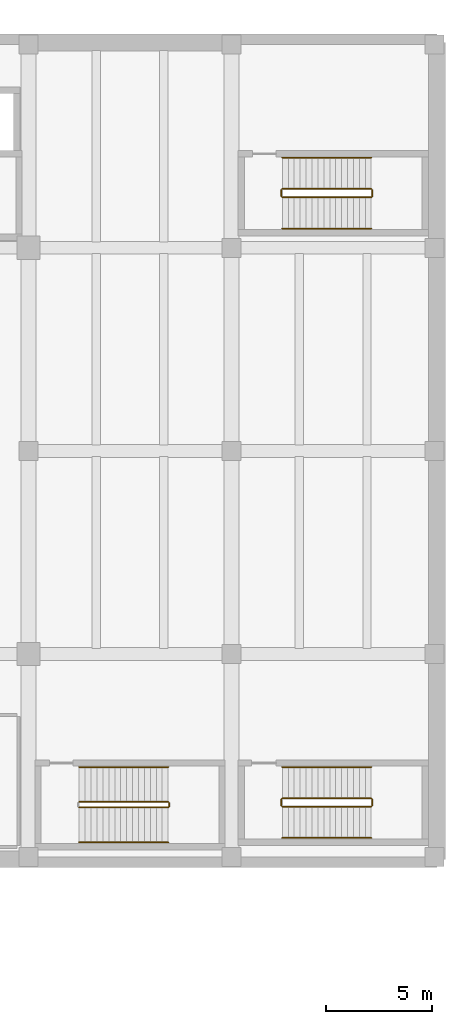
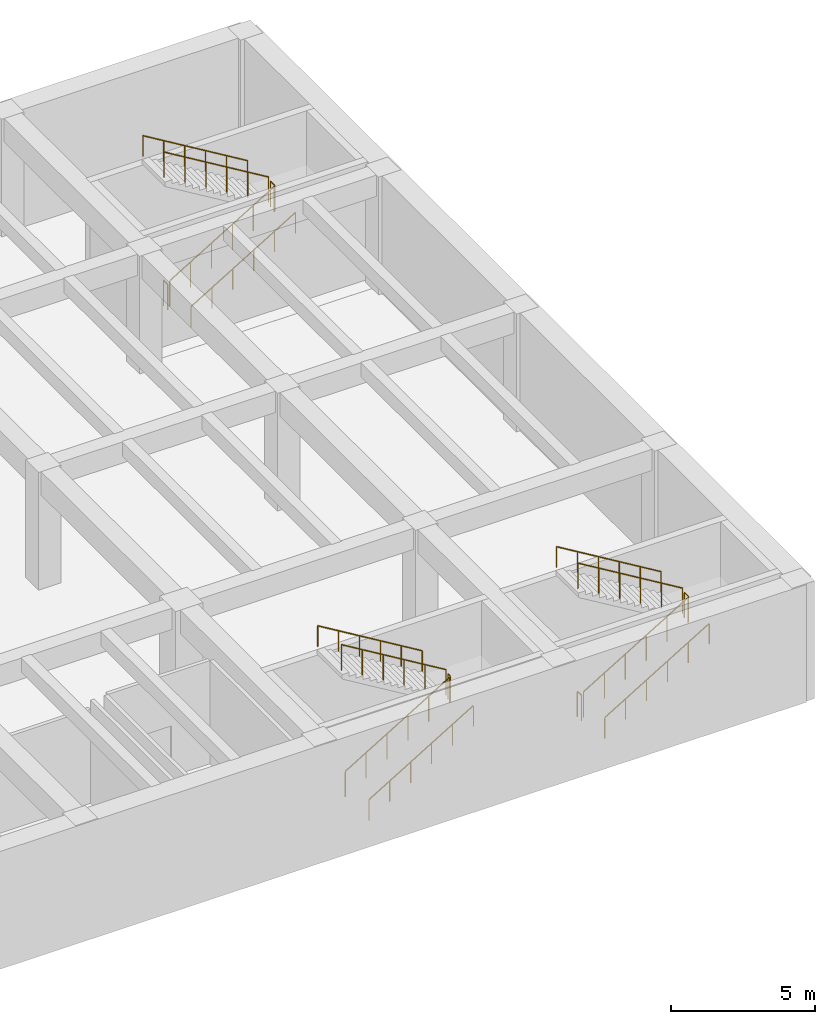
# One storey, part 19 of 19: 17 railings.
"""IFC4 building model written with IfcOpenShell, lengths in metres."""

import ifcopenshell
import ifcopenshell.guid

model = None  # the IFC model being written
_history = None  # IfcOwnerHistory: only IFC2X3 demands one
_inside = {}  # id of a spatial element -> (the spatial element, [elements in it])
_under = {}  # id of a project, library or spatial element -> (it, [spatial elements below it])
_declared = {}  # id of a project -> (the project, [libraries it declares])
_typed = {}  # id of a type object -> (the type object, [elements of that type])
_made_of = {}  # id of a material, layer set ... -> (it, [elements and type objects made of it])


def new_model(schema):
    """Start an empty IFC model of exactly this schema.

    Asked for "IFC4X3", IfcOpenShell would pick the latest addendum, in which some entities
    have other attributes; the version numbers below select the first issue.
    IFC2X3 requires an IfcOwnerHistory on every rooted entity: one is made here for all.
    """
    global model, _history
    if schema == "IFC4X3":
        model = ifcopenshell.file(schema_version=(4, 3, 0, 0))
    else:
        model = ifcopenshell.file(schema=schema)
    _inside.clear()
    _under.clear()
    _declared.clear()
    _typed.clear()
    _made_of.clear()
    _history = None
    if model.schema == "IFC2X3":
        org = make("IfcOrganization", Name="unknown")
        user = make(
            "IfcPersonAndOrganization",
            ThePerson=make("IfcPerson", FamilyName="unknown"),
            TheOrganization=org,
        )
        app = make(
            "IfcApplication",
            ApplicationDeveloper=org,
            Version="unknown",
            ApplicationFullName="unknown",
            ApplicationIdentifier="unknown",
        )
        _history = make(
            "IfcOwnerHistory",
            OwningUser=user,
            OwningApplication=app,
            ChangeAction="ADDED",
            CreationDate=0,
        )
    return model


def make(cls, **values):
    """One entity of the class cls with the attributes given. An attribute that is None is left unset."""
    return model.create_entity(
        cls, **{name: value for name, value in values.items() if value is not None}
    )


def rooted(cls, **values):
    """An entity with a GlobalId (a new one), such as an element, a storey or a relation."""
    return make(cls, GlobalId=ifcopenshell.guid.new(), OwnerHistory=_history, **values)


def si_unit(unit_type, name, prefix=None):
    """IfcSIUnit, for example si_unit("LENGTHUNIT", "METRE", prefix="MILLI")."""
    return make("IfcSIUnit", UnitType=unit_type, Prefix=prefix, Name=name)


def assignment(units):
    """IfcUnitAssignment: the units of a project."""
    return None if units is None else make("IfcUnitAssignment", Units=units)


def point(xyz):
    """IfcCartesianPoint."""
    return None if xyz is None else make("IfcCartesianPoint", Coordinates=xyz)


def direction(xyz):
    """IfcDirection."""
    return None if xyz is None else make("IfcDirection", DirectionRatios=xyz)


def frame(location, z_axis=None, x_axis=None):
    """IfcAxis2Placement3D, a coordinate frame: its origin and axes. An axis left out is left unset."""
    return make(
        "IfcAxis2Placement3D",
        Location=point(location),
        Axis=direction(z_axis),
        RefDirection=direction(x_axis),
    )


def frame_2d(location, x_axis=None):
    """IfcAxis2Placement2D, a coordinate frame in the plane: its origin and x axis."""
    return make(
        "IfcAxis2Placement2D", Location=point(location), RefDirection=direction(x_axis)
    )


def origin():
    """The frame at (0, 0, 0) with its axes left unset."""
    return frame((0.0, 0.0, 0.0))


def origin_2d():
    """The frame at (0, 0) in the plane with its x axis left unset."""
    return frame_2d((0.0, 0.0))


def place(relative_to, where):
    """IfcLocalPlacement: puts the frame where relative to a parent placement (None: the world)."""
    return make(
        "IfcLocalPlacement", PlacementRelTo=relative_to, RelativePlacement=where
    )


def context(
    kind, dimensions, precision=None, world=None, true_north=None, identifier=None
):
    """IfcGeometricRepresentationContext, for example the 3D "Model" context."""
    return make(
        "IfcGeometricRepresentationContext",
        ContextIdentifier=identifier,
        ContextType=kind,
        CoordinateSpaceDimension=dimensions,
        Precision=precision,
        WorldCoordinateSystem=world,
        TrueNorth=true_north,
    )


def subcontext(parent, identifier, kind, view, scale=None):
    """IfcGeometricRepresentationSubContext, for example "Body" below "Model"."""
    return make(
        "IfcGeometricRepresentationSubContext",
        ContextIdentifier=identifier,
        ContextType=kind,
        ParentContext=parent,
        TargetScale=scale,
        TargetView=view,
    )


def project(units=None, contexts=None):
    """IfcProject with its units and contexts."""
    return rooted(
        "IfcProject",
        Name="project",
        RepresentationContexts=contexts,
        UnitsInContext=assignment(units),
    )


def spatial(cls, under=None, at=None, **own):
    """A site, building, storey or space (cls), placed at a placement, below another one or the project."""
    s = rooted(cls, ObjectPlacement=at, **own)
    if under is not None:
        _under.setdefault(under.id(), (under, []))[1].append(s)
    return s


def profile(cls, at=None, kind="AREA", **sizes):
    """A parametric profile (cls). Its sizes go by their IFC names, for example OverallWidth=200.0."""
    return make(cls, ProfileType=kind, Position=at, **sizes)


def circle(**sizes):
    """IfcCircleProfileDef."""
    return profile("IfcCircleProfileDef", **sizes)


def extrude(swept, where, along, depth):
    """IfcExtrudedAreaSolid: the profile swept, set in the frame where, extruded along a direction by depth."""
    return make(
        "IfcExtrudedAreaSolid",
        SweptArea=swept,
        Position=where,
        ExtrudedDirection=direction(along),
        Depth=depth,
    )


def shape(context_of_items, identifier, shape_type, items):
    """IfcShapeRepresentation: the items that make up one representation, for example the "Body"."""
    return make(
        "IfcShapeRepresentation",
        ContextOfItems=context_of_items,
        RepresentationIdentifier=identifier,
        RepresentationType=shape_type,
        Items=items,
    )


def material(Name=None, Category=None):
    """IfcMaterial."""
    return make("IfcMaterial", Name=Name, Category=Category)


def made_of(thing, what):
    """Note that an element or type object is made of a material, layer set ...; save() writes the relation."""
    if what is not None:
        _made_of.setdefault(what.id(), (what, []))[1].append(thing)
    return thing


def type_object(cls, material=None, **own):
    """A type object (cls), such as IfcWallType, which elements share."""
    return made_of(rooted(cls, **own), material)


def element(
    cls,
    number,
    at=None,
    inside=None,
    cuts=None,
    type_object=None,
    material=None,
    context=None,
    identifier="Body",
    shape_type=None,
    held_by="IfcProductDefinitionShape",
    body=None,
    shapes=None,
    **own,
):
    """One element of the class cls, such as IfcWall. Its Tag is "e" and its number.

    at: its placement. inside: the storey or other place that contains it. cuts: it is an
    opening in that element (IfcRelVoidsElement). A single representation is given by context,
    identifier, shape_type and body (its items); several are given by shapes. held_by: the class
    of the entity that holds the representations. save() writes the other relations.
    """
    e = rooted(cls, Tag="e%d" % number, ObjectPlacement=at, **own)
    if body is not None:
        shapes = [shape(context, identifier, shape_type, body)]
    if shapes is not None:
        e.Representation = make(held_by, Representations=shapes)
    if inside is not None:
        _inside.setdefault(inside.id(), (inside, []))[1].append(e)
    if cuts is not None:
        rooted(
            "IfcRelVoidsElement", RelatingBuildingElement=cuts, RelatedOpeningElement=e
        )
    if type_object is not None:
        _typed.setdefault(type_object.id(), (type_object, []))[1].append(e)
    return made_of(e, material)


def aggregate(whole, parts):
    """IfcRelAggregates: a whole, such as a stair, and the parts it consists of."""
    return rooted("IfcRelAggregates", RelatingObject=whole, RelatedObjects=parts)


def save(model, path):
    """Write the relations noted so far, then the file.

    IfcRelAggregates (storeys below a building ...), IfcRelContainedInSpatialStructure (elements
    in a storey), IfcRelDefinesByType, IfcRelAssociatesMaterial and IfcRelDeclares: one each for
    every whole, place, type object, material and project.
    """
    for whole, parts in _under.values():
        aggregate(whole, parts)
    for where, things in _inside.values():
        rooted(
            "IfcRelContainedInSpatialStructure",
            RelatedElements=things,
            RelatingStructure=where,
        )
    for kind, things in _typed.values():
        rooted("IfcRelDefinesByType", RelatedObjects=things, RelatingType=kind)
    for what, things in _made_of.values():
        rooted("IfcRelAssociatesMaterial", RelatedObjects=things, RelatingMaterial=what)
    for by, libraries in _declared.values():
        rooted("IfcRelDeclares", RelatingContext=by, RelatedDefinitions=libraries)
    model.write(path)


model = new_model("IFC4")

# Units and contexts
model_context = context("Model", 3, precision=1e-05, world=origin(), true_north=direction((0.0, 1.0)))
body_context = subcontext(model_context, "Body", "Model", "MODEL_VIEW")
ifc_project = project(units=[si_unit("LENGTHUNIT", "METRE"), si_unit("AREAUNIT", "SQUARE_METRE"), si_unit("VOLUMEUNIT", "CUBIC_METRE"), si_unit("PLANEANGLEUNIT", "RADIAN"), si_unit("MASSUNIT", "GRAM", prefix="KILO")], contexts=[model_context])

# Site, building, storey
site_placement = place(None, origin())
site = spatial("IfcSite", under=ifc_project, at=site_placement, CompositionType="ELEMENT")
building_placement = place(site_placement, origin())
building = spatial("IfcBuilding", under=site, at=building_placement, Name="Coralgate Yard Interchange", CompositionType="ELEMENT")
storey_placement = place(building_placement, frame((0.0, 0.0, -5.39990234375)))
storey = spatial("IfcBuildingStorey", under=building, at=storey_placement, Name="B1", CompositionType="ELEMENT", Elevation=-5.39990234375)

# Railings
ifc_material_1 = material(Name="Grade 316 marine stainless steel and toughened glass balustrade", Category="steel")
railing_type_1 = type_object("IfcRailingType", Name="RLG-GD1100", PredefinedType="BALUSTRADE", material=ifc_material_1)
railing_1_placement = place(storey_placement, frame((146.39990234375, 40.7900390625, 0.168701171875)))
element("IfcRailing", 1, at=railing_1_placement, inside=storey, type_object=railing_type_1, Name="B1 ST-10 stair guard 1", PredefinedType="BALUSTRADE", context=body_context, shape_type="SweptSolid", body=[
    extrude(circle(Radius=0.02392578125, at=origin_2d()), frame((0.0, 0.0, 1.076171875), z_axis=(0.856489757249, 0.0, 0.516164020179), x_axis=(0.0, 1.0, 0.0)), (0.0, 0.0, 1.0), 4.904052734375),
    extrude(circle(Radius=0.02099609375, at=origin_2d()), origin(), (0.0, 0.0, 1.0), 1.051513671875),
    extrude(circle(Radius=0.02099609375, at=origin_2d()), frame((0.840087890625, 0.0, 0.50634765625)), (0.0, 0.0, 1.0), 1.051513671875),
    extrude(circle(Radius=0.02099609375, at=origin_2d()), frame((1.68017578125, 0.0, 1.012451171875)), (0.0, 0.0, 1.0), 1.051513671875),
    extrude(circle(Radius=0.02099609375, at=origin_2d()), frame((2.52001953125, 0.0, 1.518798828125)), (0.0, 0.0, 1.0), 1.051513671875),
    extrude(circle(Radius=0.02099609375, at=origin_2d()), frame((3.360107421875, 0.0, 2.02490234375)), (0.0, 0.0, 1.0), 1.051513671875),
    extrude(circle(Radius=0.02099609375, at=origin_2d()), frame((4.2001953125, 0.0, 2.53125)), (0.0, 0.0, 1.0), 1.051513671875),
])
railing_2_placement = place(storey_placement, frame((150.64990234375, 40.840087890625, 2.699951171875)))
element("IfcRailing", 2, at=railing_2_placement, inside=storey, type_object=railing_type_1, Name="B1 ST-10 stair guard 2", PredefinedType="BALUSTRADE", context=body_context, shape_type="SweptSolid", body=[
    extrude(circle(Radius=0.02392578125, at=origin_2d()), frame((0.0, 0.0, 1.076171875), z_axis=(0.0, 1.0, 0.0), x_axis=(-1.0, 0.0, 0.0)), (0.0, 0.0, 1.0), 0.289794921875),
    extrude(circle(Radius=0.02099609375, at=origin_2d()), origin(), (0.0, 0.0, 1.0), 1.051513671875),
    extrude(circle(Radius=0.02099609375, at=origin_2d()), frame((0.0, 0.289794921875, 0.0)), (0.0, 0.0, 1.0), 1.051513671875),
])
railing_3_placement = place(storey_placement, frame((150.60009765625, 41.179931640625, 2.86865234375)))
element("IfcRailing", 3, at=railing_3_placement, inside=storey, type_object=railing_type_1, Name="B1 ST-10 stair guard 3", PredefinedType="BALUSTRADE", context=body_context, shape_type="SweptSolid", body=[
    extrude(circle(Radius=0.02392578125, at=origin_2d()), frame((0.0, 0.0, 1.076171875), z_axis=(-0.856489757249, 0.0, 0.516164020179), x_axis=(0.0, -1.0, 0.0)), (0.0, 0.0, 1.0), 4.904052734375),
    extrude(circle(Radius=0.02099609375, at=origin_2d()), origin(), (0.0, 0.0, 1.0), 1.051513671875),
    extrude(circle(Radius=0.02099609375, at=origin_2d()), frame((-0.840087890625, 0.0, 0.50634765625)), (0.0, 0.0, 1.0), 1.051513671875),
    extrude(circle(Radius=0.02099609375, at=origin_2d()), frame((-1.68017578125, 0.0, 1.012451171875)), (0.0, 0.0, 1.0), 1.051513671875),
    extrude(circle(Radius=0.02099609375, at=origin_2d()), frame((-2.52001953125, 0.0, 1.518798828125)), (0.0, 0.0, 1.0), 1.051513671875),
    extrude(circle(Radius=0.02099609375, at=origin_2d()), frame((-3.360107421875, 0.0, 2.02490234375)), (0.0, 0.0, 1.0), 1.051513671875),
    extrude(circle(Radius=0.02099609375, at=origin_2d()), frame((-4.2001953125, 0.0, 2.53125)), (0.0, 0.0, 1.0), 1.051513671875),
])
railing_4_placement = place(storey_placement, frame((146.35009765625, 40.840087890625, 0.0)))
element("IfcRailing", 4, at=railing_4_placement, inside=storey, type_object=railing_type_1, Name="B1 ST-10 stair guard 4", PredefinedType="BALUSTRADE", context=body_context, shape_type="SweptSolid", body=[
    extrude(circle(Radius=0.02392578125, at=origin_2d()), frame((0.0, 0.0, 1.076171875), z_axis=(0.0, 1.0, 0.0), x_axis=(-1.0, 0.0, 0.0)), (0.0, 0.0, 1.0), 0.289794921875),
    extrude(circle(Radius=0.02099609375, at=origin_2d()), origin(), (0.0, 0.0, 1.0), 1.051513671875),
    extrude(circle(Radius=0.02099609375, at=origin_2d()), frame((0.0, 0.289794921875, 0.0)), (0.0, 0.0, 1.0), 1.051513671875),
])
railing_5_placement = place(storey_placement, frame((146.39990234375, 69.590087890625, 0.168701171875)))
element("IfcRailing", 5, at=railing_5_placement, inside=storey, type_object=railing_type_1, Name="B1 ST-11 stair guard 1", PredefinedType="BALUSTRADE", context=body_context, shape_type="SweptSolid", body=[
    extrude(circle(Radius=0.02392578125, at=origin_2d()), frame((0.0, 0.0, 1.076171875), z_axis=(0.856489757249, 0.0, 0.516164020179), x_axis=(0.0, 1.0, 0.0)), (0.0, 0.0, 1.0), 4.904052734375),
    extrude(circle(Radius=0.02099609375, at=origin_2d()), origin(), (0.0, 0.0, 1.0), 1.051513671875),
    extrude(circle(Radius=0.02099609375, at=origin_2d()), frame((0.840087890625, 0.0, 0.50634765625)), (0.0, 0.0, 1.0), 1.051513671875),
    extrude(circle(Radius=0.02099609375, at=origin_2d()), frame((1.68017578125, 0.0, 1.012451171875)), (0.0, 0.0, 1.0), 1.051513671875),
    extrude(circle(Radius=0.02099609375, at=origin_2d()), frame((2.52001953125, 0.0, 1.518798828125)), (0.0, 0.0, 1.0), 1.051513671875),
    extrude(circle(Radius=0.02099609375, at=origin_2d()), frame((3.360107421875, 0.0, 2.02490234375)), (0.0, 0.0, 1.0), 1.051513671875),
    extrude(circle(Radius=0.02099609375, at=origin_2d()), frame((4.2001953125, 0.0, 2.53125)), (0.0, 0.0, 1.0), 1.051513671875),
])
railing_6_placement = place(storey_placement, frame((150.64990234375, 69.639892578125, 2.699951171875)))
element("IfcRailing", 6, at=railing_6_placement, inside=storey, type_object=railing_type_1, Name="B1 ST-11 stair guard 2", PredefinedType="BALUSTRADE", context=body_context, shape_type="SweptSolid", body=[
    extrude(circle(Radius=0.02392578125, at=origin_2d()), frame((0.0, 0.0, 1.076171875), z_axis=(0.0, 1.0, 0.0), x_axis=(-1.0, 0.0, 0.0)), (0.0, 0.0, 1.0), 0.2900390625),
    extrude(circle(Radius=0.02099609375, at=origin_2d()), origin(), (0.0, 0.0, 1.0), 1.051513671875),
    extrude(circle(Radius=0.02099609375, at=origin_2d()), frame((0.0, 0.2900390625, 0.0)), (0.0, 0.0, 1.0), 1.051513671875),
])
railing_7_placement = place(storey_placement, frame((150.60009765625, 69.97998046875, 2.86865234375)))
element("IfcRailing", 7, at=railing_7_placement, inside=storey, type_object=railing_type_1, Name="B1 ST-11 stair guard 3", PredefinedType="BALUSTRADE", context=body_context, shape_type="SweptSolid", body=[
    extrude(circle(Radius=0.02392578125, at=origin_2d()), frame((0.0, 0.0, 1.076171875), z_axis=(-0.856489757249, 0.0, 0.516164020179), x_axis=(0.0, -1.0, 0.0)), (0.0, 0.0, 1.0), 4.904052734375),
    extrude(circle(Radius=0.02099609375, at=origin_2d()), origin(), (0.0, 0.0, 1.0), 1.051513671875),
    extrude(circle(Radius=0.02099609375, at=origin_2d()), frame((-0.840087890625, 0.0, 0.50634765625)), (0.0, 0.0, 1.0), 1.051513671875),
    extrude(circle(Radius=0.02099609375, at=origin_2d()), frame((-1.68017578125, 0.0, 1.012451171875)), (0.0, 0.0, 1.0), 1.051513671875),
    extrude(circle(Radius=0.02099609375, at=origin_2d()), frame((-2.52001953125, 0.0, 1.518798828125)), (0.0, 0.0, 1.0), 1.051513671875),
    extrude(circle(Radius=0.02099609375, at=origin_2d()), frame((-3.360107421875, 0.0, 2.02490234375)), (0.0, 0.0, 1.0), 1.051513671875),
    extrude(circle(Radius=0.02099609375, at=origin_2d()), frame((-4.2001953125, 0.0, 2.53125)), (0.0, 0.0, 1.0), 1.051513671875),
])
railing_8_placement = place(storey_placement, frame((146.35009765625, 69.639892578125, 0.0)))
element("IfcRailing", 8, at=railing_8_placement, inside=storey, type_object=railing_type_1, Name="B1 ST-11 stair guard 4", PredefinedType="BALUSTRADE", context=body_context, shape_type="SweptSolid", body=[
    extrude(circle(Radius=0.02392578125, at=origin_2d()), frame((0.0, 0.0, 1.076171875), z_axis=(0.0, 1.0, 0.0), x_axis=(-1.0, 0.0, 0.0)), (0.0, 0.0, 1.0), 0.2900390625),
    extrude(circle(Radius=0.02099609375, at=origin_2d()), origin(), (0.0, 0.0, 1.0), 1.051513671875),
    extrude(circle(Radius=0.02099609375, at=origin_2d()), frame((0.0, 0.2900390625, 0.0)), (0.0, 0.0, 1.0), 1.051513671875),
])
railing_9_placement = place(storey_placement, frame((136.800048828125, 40.75, 0.168701171875)))
element("IfcRailing", 9, at=railing_9_placement, inside=storey, type_object=railing_type_1, Name="B1 ST-13 stair guard 1", PredefinedType="BALUSTRADE", context=body_context, shape_type="SweptSolid", body=[
    extrude(circle(Radius=0.02392578125, at=origin_2d()), frame((0.0, 0.0, 1.076171875), z_axis=(0.856476492594, 0.0, 0.516186030065), x_axis=(0.0, 1.0, 0.0)), (0.0, 0.0, 1.0), 4.90380859375),
    extrude(circle(Radius=0.02099609375, at=origin_2d()), origin(), (0.0, 0.0, 1.0), 1.051513671875),
    extrude(circle(Radius=0.02099609375, at=origin_2d()), frame((0.840087890625, 0.0, 0.50634765625)), (0.0, 0.0, 1.0), 1.051513671875),
    extrude(circle(Radius=0.02099609375, at=origin_2d()), frame((1.679931640625, 0.0, 1.012451171875)), (0.0, 0.0, 1.0), 1.051513671875),
    extrude(circle(Radius=0.02099609375, at=origin_2d()), frame((2.52001953125, 0.0, 1.518798828125)), (0.0, 0.0, 1.0), 1.051513671875),
    extrude(circle(Radius=0.02099609375, at=origin_2d()), frame((3.35986328125, 0.0, 2.02490234375)), (0.0, 0.0, 1.0), 1.051513671875),
    extrude(circle(Radius=0.02099609375, at=origin_2d()), frame((4.199951171875, 0.0, 2.53125)), (0.0, 0.0, 1.0), 1.051513671875),
])
railing_10_placement = place(storey_placement, frame((141.050048828125, 40.800048828125, 2.699951171875)))
element("IfcRailing", 10, at=railing_10_placement, inside=storey, type_object=railing_type_1, Name="B1 ST-13 stair guard 2", PredefinedType="BALUSTRADE", context=body_context, shape_type="SweptSolid", body=[
    extrude(circle(Radius=0.02392578125, at=origin_2d()), frame((0.0, 0.0, 1.076171875), z_axis=(0.0, 1.0, 0.0), x_axis=(-1.0, 0.0, 0.0)), (0.0, 0.0, 1.0), 0.159912109375),
    extrude(circle(Radius=0.02099609375, at=origin_2d()), origin(), (0.0, 0.0, 1.0), 1.051513671875),
    extrude(circle(Radius=0.02099609375, at=origin_2d()), frame((0.0, 0.159912109375, 0.0)), (0.0, 0.0, 1.0), 1.051513671875),
])
railing_11_placement = place(storey_placement, frame((141.0, 41.010009765625, 2.86865234375)))
element("IfcRailing", 11, at=railing_11_placement, inside=storey, type_object=railing_type_1, Name="B1 ST-13 stair guard 3", PredefinedType="BALUSTRADE", context=body_context, shape_type="SweptSolid", body=[
    extrude(circle(Radius=0.02392578125, at=origin_2d()), frame((0.0, 0.0, 1.076171875), z_axis=(-0.856476492594, 0.0, 0.516186030065), x_axis=(0.0, -1.0, 0.0)), (0.0, 0.0, 1.0), 4.90380859375),
    extrude(circle(Radius=0.02099609375, at=origin_2d()), origin(), (0.0, 0.0, 1.0), 1.051513671875),
    extrude(circle(Radius=0.02099609375, at=origin_2d()), frame((-0.840087890625, 0.0, 0.50634765625)), (0.0, 0.0, 1.0), 1.051513671875),
    extrude(circle(Radius=0.02099609375, at=origin_2d()), frame((-1.679931640625, 0.0, 1.012451171875)), (0.0, 0.0, 1.0), 1.051513671875),
    extrude(circle(Radius=0.02099609375, at=origin_2d()), frame((-2.52001953125, 0.0, 1.518798828125)), (0.0, 0.0, 1.0), 1.051513671875),
    extrude(circle(Radius=0.02099609375, at=origin_2d()), frame((-3.35986328125, 0.0, 2.02490234375)), (0.0, 0.0, 1.0), 1.051513671875),
    extrude(circle(Radius=0.02099609375, at=origin_2d()), frame((-4.199951171875, 0.0, 2.53125)), (0.0, 0.0, 1.0), 1.051513671875),
])
ifc_material_2 = material(Name="Grade 316 marine stainless steel", Category="steel")
railing_type_2 = type_object("IfcRailingType", Name="RLG-HR900", PredefinedType="HANDRAIL", material=ifc_material_2)
railing_12_placement = place(storey_placement, frame((146.39990234375, 39.31005859375, 0.168701171875)))
element("IfcRailing", 12, at=railing_12_placement, inside=storey, type_object=railing_type_2, Name="B1 ST-10 stair handrail 1", PredefinedType="HANDRAIL", context=body_context, shape_type="SweptSolid", body=[
    extrude(circle(Radius=0.02392578125, at=origin_2d()), frame((0.0, 0.0, 0.8759765625), z_axis=(0.856489757249, 0.0, 0.516164020179), x_axis=(0.0, 1.0, 0.0)), (0.0, 0.0, 1.0), 4.904052734375),
    extrude(circle(Radius=0.02099609375, at=origin_2d()), origin(), (0.0, 0.0, 1.0), 0.851318359375),
    extrude(circle(Radius=0.02099609375, at=origin_2d()), frame((0.840087890625, 0.0, 0.50634765625)), (0.0, 0.0, 1.0), 0.851318359375),
    extrude(circle(Radius=0.02099609375, at=origin_2d()), frame((1.68017578125, 0.0, 1.012451171875)), (0.0, 0.0, 1.0), 0.851318359375),
    extrude(circle(Radius=0.02099609375, at=origin_2d()), frame((2.52001953125, 0.0, 1.518798828125)), (0.0, 0.0, 1.0), 0.851318359375),
    extrude(circle(Radius=0.02099609375, at=origin_2d()), frame((3.360107421875, 0.0, 2.02490234375)), (0.0, 0.0, 1.0), 0.851318359375),
    extrude(circle(Radius=0.02099609375, at=origin_2d()), frame((4.2001953125, 0.0, 2.53125)), (0.0, 0.0, 1.0), 0.851318359375),
])
railing_13_placement = place(storey_placement, frame((150.60009765625, 42.659912109375, 2.86865234375)))
element("IfcRailing", 13, at=railing_13_placement, inside=storey, type_object=railing_type_2, Name="B1 ST-10 stair handrail 2", PredefinedType="HANDRAIL", context=body_context, shape_type="SweptSolid", body=[
    extrude(circle(Radius=0.02392578125, at=origin_2d()), frame((0.0, 0.0, 0.8759765625), z_axis=(-0.856489757249, 0.0, 0.516164020179), x_axis=(0.0, -1.0, 0.0)), (0.0, 0.0, 1.0), 4.904052734375),
    extrude(circle(Radius=0.02099609375, at=origin_2d()), origin(), (0.0, 0.0, 1.0), 0.851318359375),
    extrude(circle(Radius=0.02099609375, at=origin_2d()), frame((-0.840087890625, 0.0, 0.50634765625)), (0.0, 0.0, 1.0), 0.851318359375),
    extrude(circle(Radius=0.02099609375, at=origin_2d()), frame((-1.68017578125, 0.0, 1.012451171875)), (0.0, 0.0, 1.0), 0.851318359375),
    extrude(circle(Radius=0.02099609375, at=origin_2d()), frame((-2.52001953125, 0.0, 1.518798828125)), (0.0, 0.0, 1.0), 0.851318359375),
    extrude(circle(Radius=0.02099609375, at=origin_2d()), frame((-3.360107421875, 0.0, 2.02490234375)), (0.0, 0.0, 1.0), 0.851318359375),
    extrude(circle(Radius=0.02099609375, at=origin_2d()), frame((-4.2001953125, 0.0, 2.53125)), (0.0, 0.0, 1.0), 0.851318359375),
])
railing_14_placement = place(storey_placement, frame((146.39990234375, 68.110107421875, 0.168701171875)))
element("IfcRailing", 14, at=railing_14_placement, inside=storey, type_object=railing_type_2, Name="B1 ST-11 stair handrail 1", PredefinedType="HANDRAIL", context=body_context, shape_type="SweptSolid", body=[
    extrude(circle(Radius=0.02392578125, at=origin_2d()), frame((0.0, 0.0, 0.8759765625), z_axis=(0.856489757249, 0.0, 0.516164020179), x_axis=(0.0, 1.0, 0.0)), (0.0, 0.0, 1.0), 4.904052734375),
    extrude(circle(Radius=0.02099609375, at=origin_2d()), origin(), (0.0, 0.0, 1.0), 0.851318359375),
    extrude(circle(Radius=0.02099609375, at=origin_2d()), frame((0.840087890625, 0.0, 0.50634765625)), (0.0, 0.0, 1.0), 0.851318359375),
    extrude(circle(Radius=0.02099609375, at=origin_2d()), frame((1.68017578125, 0.0, 1.012451171875)), (0.0, 0.0, 1.0), 0.851318359375),
    extrude(circle(Radius=0.02099609375, at=origin_2d()), frame((2.52001953125, 0.0, 1.518798828125)), (0.0, 0.0, 1.0), 0.851318359375),
    extrude(circle(Radius=0.02099609375, at=origin_2d()), frame((3.360107421875, 0.0, 2.02490234375)), (0.0, 0.0, 1.0), 0.851318359375),
    extrude(circle(Radius=0.02099609375, at=origin_2d()), frame((4.2001953125, 0.0, 2.53125)), (0.0, 0.0, 1.0), 0.851318359375),
])
railing_15_placement = place(storey_placement, frame((150.60009765625, 71.4599609375, 2.86865234375)))
element("IfcRailing", 15, at=railing_15_placement, inside=storey, type_object=railing_type_2, Name="B1 ST-11 stair handrail 2", PredefinedType="HANDRAIL", context=body_context, shape_type="SweptSolid", body=[
    extrude(circle(Radius=0.02392578125, at=origin_2d()), frame((0.0, 0.0, 0.8759765625), z_axis=(-0.856489757249, 0.0, 0.516164020179), x_axis=(0.0, -1.0, 0.0)), (0.0, 0.0, 1.0), 4.904052734375),
    extrude(circle(Radius=0.02099609375, at=origin_2d()), origin(), (0.0, 0.0, 1.0), 0.851318359375),
    extrude(circle(Radius=0.02099609375, at=origin_2d()), frame((-0.840087890625, 0.0, 0.50634765625)), (0.0, 0.0, 1.0), 0.851318359375),
    extrude(circle(Radius=0.02099609375, at=origin_2d()), frame((-1.68017578125, 0.0, 1.012451171875)), (0.0, 0.0, 1.0), 0.851318359375),
    extrude(circle(Radius=0.02099609375, at=origin_2d()), frame((-2.52001953125, 0.0, 1.518798828125)), (0.0, 0.0, 1.0), 0.851318359375),
    extrude(circle(Radius=0.02099609375, at=origin_2d()), frame((-3.360107421875, 0.0, 2.02490234375)), (0.0, 0.0, 1.0), 0.851318359375),
    extrude(circle(Radius=0.02099609375, at=origin_2d()), frame((-4.2001953125, 0.0, 2.53125)), (0.0, 0.0, 1.0), 0.851318359375),
])
railing_16_placement = place(storey_placement, frame((136.800048828125, 39.10009765625, 0.168701171875)))
element("IfcRailing", 16, at=railing_16_placement, inside=storey, type_object=railing_type_2, Name="B1 ST-13 stair handrail 1", PredefinedType="HANDRAIL", context=body_context, shape_type="SweptSolid", body=[
    extrude(circle(Radius=0.02392578125, at=origin_2d()), frame((0.0, 0.0, 0.8759765625), z_axis=(0.856476492594, 0.0, 0.516186030065), x_axis=(0.0, 1.0, 0.0)), (0.0, 0.0, 1.0), 4.90380859375),
    extrude(circle(Radius=0.02099609375, at=origin_2d()), origin(), (0.0, 0.0, 1.0), 0.851318359375),
    extrude(circle(Radius=0.02099609375, at=origin_2d()), frame((0.840087890625, 0.0, 0.50634765625)), (0.0, 0.0, 1.0), 0.851318359375),
    extrude(circle(Radius=0.02099609375, at=origin_2d()), frame((1.679931640625, 0.0, 1.012451171875)), (0.0, 0.0, 1.0), 0.851318359375),
    extrude(circle(Radius=0.02099609375, at=origin_2d()), frame((2.52001953125, 0.0, 1.518798828125)), (0.0, 0.0, 1.0), 0.851318359375),
    extrude(circle(Radius=0.02099609375, at=origin_2d()), frame((3.35986328125, 0.0, 2.02490234375)), (0.0, 0.0, 1.0), 0.851318359375),
    extrude(circle(Radius=0.02099609375, at=origin_2d()), frame((4.199951171875, 0.0, 2.53125)), (0.0, 0.0, 1.0), 0.851318359375),
])
railing_17_placement = place(storey_placement, frame((141.0, 42.659912109375, 2.86865234375)))
element("IfcRailing", 17, at=railing_17_placement, inside=storey, type_object=railing_type_2, Name="B1 ST-13 stair handrail 2", PredefinedType="HANDRAIL", context=body_context, shape_type="SweptSolid", body=[
    extrude(circle(Radius=0.02392578125, at=origin_2d()), frame((0.0, 0.0, 0.8759765625), z_axis=(-0.856476492594, 0.0, 0.516186030065), x_axis=(0.0, -1.0, 0.0)), (0.0, 0.0, 1.0), 4.90380859375),
    extrude(circle(Radius=0.02099609375, at=origin_2d()), origin(), (0.0, 0.0, 1.0), 0.851318359375),
    extrude(circle(Radius=0.02099609375, at=origin_2d()), frame((-0.840087890625, 0.0, 0.50634765625)), (0.0, 0.0, 1.0), 0.851318359375),
    extrude(circle(Radius=0.02099609375, at=origin_2d()), frame((-1.679931640625, 0.0, 1.012451171875)), (0.0, 0.0, 1.0), 0.851318359375),
    extrude(circle(Radius=0.02099609375, at=origin_2d()), frame((-2.52001953125, 0.0, 1.518798828125)), (0.0, 0.0, 1.0), 0.851318359375),
    extrude(circle(Radius=0.02099609375, at=origin_2d()), frame((-3.35986328125, 0.0, 2.02490234375)), (0.0, 0.0, 1.0), 0.851318359375),
    extrude(circle(Radius=0.02099609375, at=origin_2d()), frame((-4.199951171875, 0.0, 2.53125)), (0.0, 0.0, 1.0), 0.851318359375),
])

save(model, "model.ifc")
